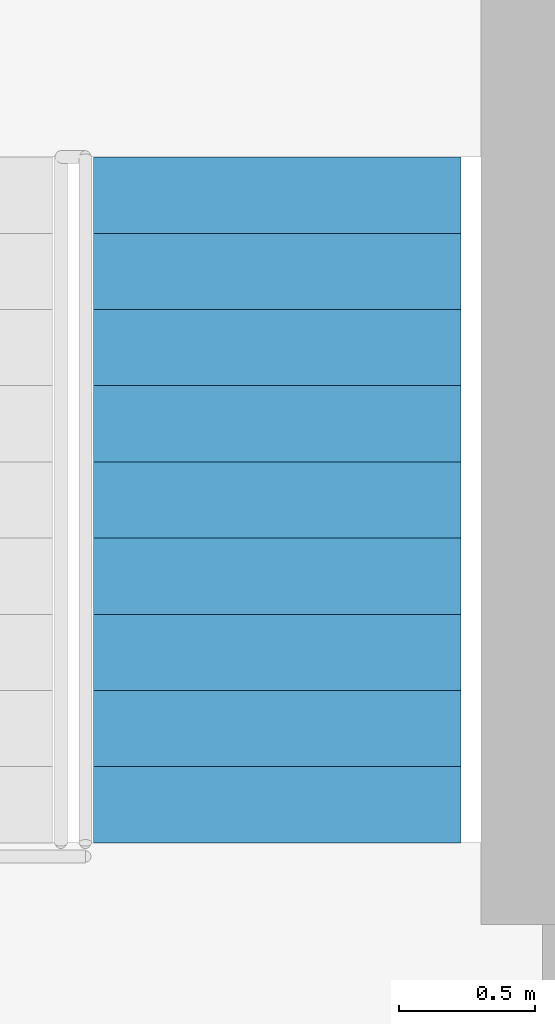
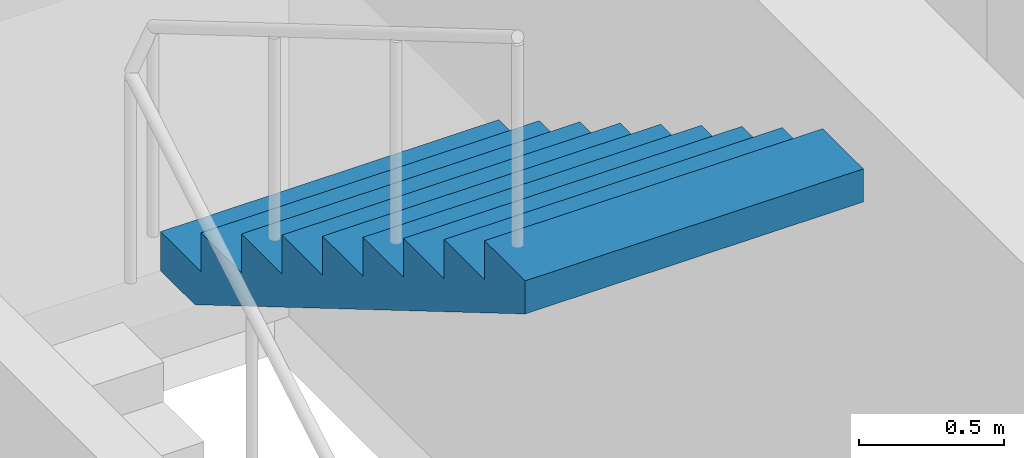
# One storey, part 12 of 13: 1 stair flight, 1 element without a shape of its own.
"""IFC4 building model written with IfcOpenShell, lengths in metres."""

from ifc_helpers import new_model, si_unit, direction, frame, origin, place, context, subcontext, project, spatial, polyline, outline, extrude, material, type_object, element, aggregate, save


model = new_model("IFC4")

# Units and contexts
model_context = context("Model", 3, precision=1e-05, world=origin(), true_north=direction((0.0, 1.0)))
body_context = subcontext(model_context, "Body", "Model", "MODEL_VIEW")
ifc_project = project(units=[si_unit("LENGTHUNIT", "METRE"), si_unit("AREAUNIT", "SQUARE_METRE"), si_unit("VOLUMEUNIT", "CUBIC_METRE"), si_unit("PLANEANGLEUNIT", "RADIAN"), si_unit("MASSUNIT", "GRAM", prefix="KILO")], contexts=[model_context])

# Site, building, storey
site_placement = place(None, origin())
site = spatial("IfcSite", under=ifc_project, at=site_placement, CompositionType="ELEMENT")
building_placement = place(site_placement, origin())
building = spatial("IfcBuilding", under=site, at=building_placement, Name="Quoin Convention Tower", CompositionType="ELEMENT")
storey_placement = place(building_placement, frame((0.0, 0.0, 39.60009765625)))
storey = spatial("IfcBuildingStorey", under=building, at=storey_placement, Name="L09", CompositionType="ELEMENT", Elevation=39.60009765625)

# Stair, stair flight
ifc_material = material(Name="Concrete C40", Category="concrete")
stair_type = type_object("IfcStairType", Name="Exit stair two-flight 1350", PredefinedType="HALF_TURN_STAIR", material=ifc_material)
stair_placement = place(storey_placement, origin())
stair = element("IfcStair", 1, at=stair_placement, inside=storey, type_object=stair_type, Name="SD2 L09", PredefinedType="HALF_TURN_STAIR")
stair_flight_type = type_object("IfcStairFlightType", Name="Stair flight 1350", PredefinedType="STRAIGHT", material=ifc_material)
stair_flight_placement = place(storey_placement, frame((66.25, 60.320068359375, 1.64990234375), z_axis=(0.0, 0.0, 1.0), x_axis=(0.0, -1.0, 0.0)))
stair_flight = element("IfcStairFlight", 2, at=stair_flight_placement, type_object=stair_flight_type, Name="ST2 flight 2", NumberOfRisers=10, NumberOfTreads=9, PredefinedType="STRAIGHT", RiserHeight=0.165, TreadLength=0.28, context=body_context, shape_type="SweptSolid", body=[
    extrude(outline(polyline([(0.0, 0.0), (0.0, 0.1650390625), (0.280029296875, 0.1650390625), (0.280029296875, 0.330078125), (0.56005859375, 0.330078125), (0.56005859375, 0.4951171875), (0.840087890625, 0.4951171875), (0.840087890625, 0.659912109375), (1.1201171875, 0.659912109375), (1.1201171875, 0.824951171875), (1.39990234375, 0.824951171875), (1.39990234375, 0.989990234375), (1.679931640625, 0.989990234375), (1.679931640625, 1.155029296875), (1.9599609375, 1.155029296875), (1.9599609375, 1.320068359375), (2.239990234375, 1.320068359375), (2.239990234375, 1.485107421875), (2.52001953125, 1.485107421875), (2.52001953125, 1.64990234375), (2.52001953125, 1.345458984375), (0.236572265625, 0.0), (0.0, 0.0)])), frame((0.0, 0.675048828125, 0.0), z_axis=(0.0, -1.0, 0.0), x_axis=(1.0, 0.0, 0.0)), (0.0, 0.0, 1.0), 1.35009765625),
])
aggregate(stair, [stair_flight])

save(model, "model.ifc")
